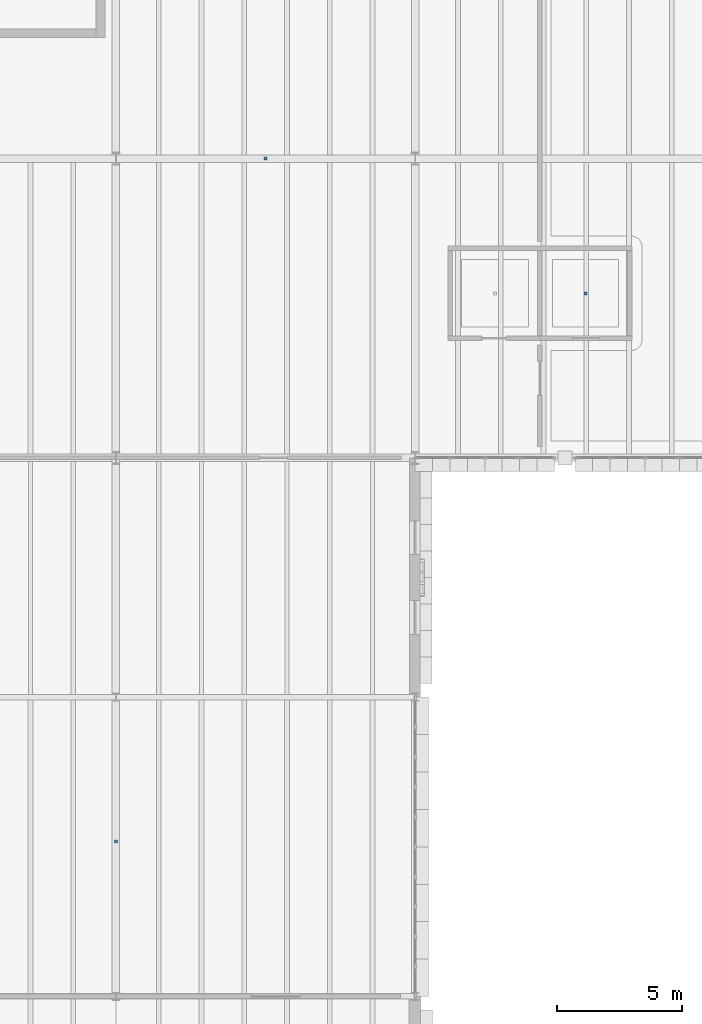
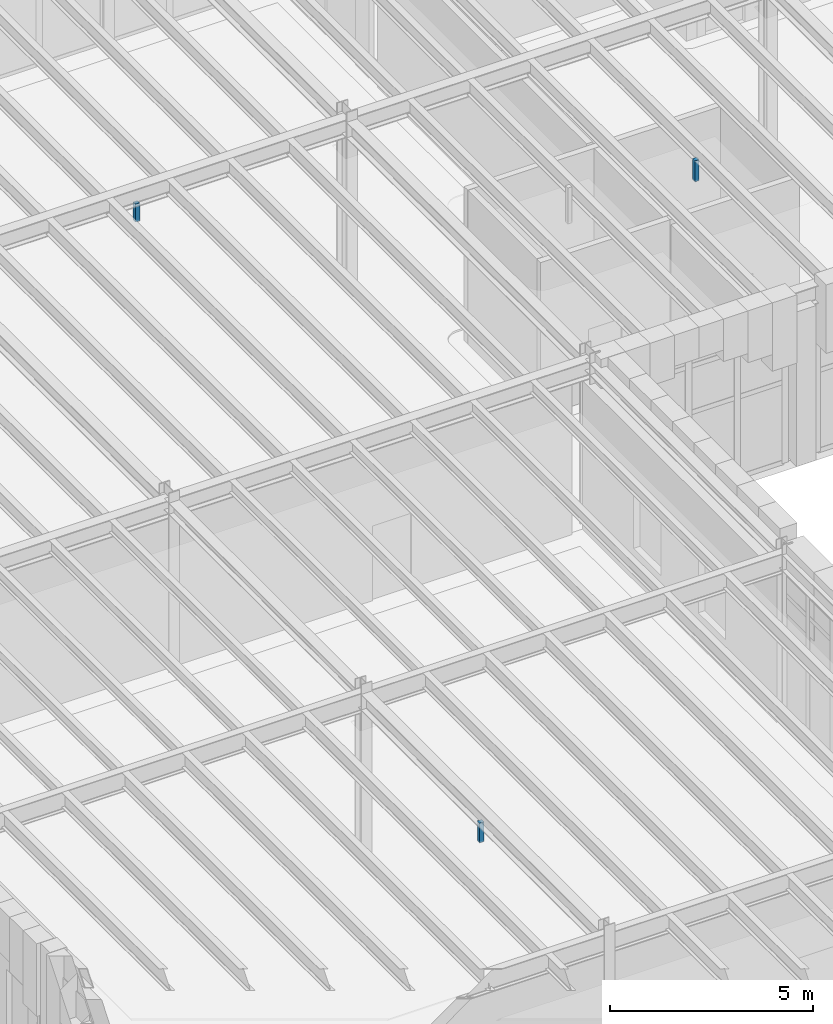
# One storey, part 70 of 100: 3 discrete accessories.
"""IFC4 building model written with IfcOpenShell, lengths in metres."""

from ifc_helpers import new_model, si_unit, direction, frame, origin, origin_2d, place, context, subcontext, project, spatial, rectangle, extrude, material, type_object, element, save


model = new_model("IFC4")

# Units and contexts
model_context = context("Model", 3, precision=1e-05, world=origin(), true_north=direction((0.0, 1.0)))
body_context = subcontext(model_context, "Body", "Model", "MODEL_VIEW")
ifc_project = project(units=[si_unit("LENGTHUNIT", "METRE"), si_unit("AREAUNIT", "SQUARE_METRE"), si_unit("VOLUMEUNIT", "CUBIC_METRE"), si_unit("PLANEANGLEUNIT", "RADIAN"), si_unit("MASSUNIT", "GRAM", prefix="KILO")], contexts=[model_context])

# Site, building, storey
site_placement = place(None, origin())
site = spatial("IfcSite", under=ifc_project, at=site_placement, CompositionType="ELEMENT")
building_placement = place(site_placement, origin())
building = spatial("IfcBuilding", under=site, at=building_placement, Name="Zlatogorsky Bluff Art Gallery", CompositionType="ELEMENT")
storey_placement = place(building_placement, frame((0.0, 0.0, 5.39990234375)))
storey = spatial("IfcBuildingStorey", under=building, at=storey_placement, Name="L01", CompositionType="ELEMENT", Elevation=5.39990234375)

# Discrete accessories
ifc_material = material(Name="Steel S355", Category="steel")
discrete_accessory_type = type_object("IfcDiscreteAccessoryType", Name="Stainless Facade Fin Bracket BRK-01", PredefinedType="BRACKET", material=ifc_material)
discrete_accessory_1_placement = place(storey_placement, frame((30.824951171875, 90.60009765625, 4.05517578125), z_axis=(0.0, 0.0, 1.0), x_axis=(1.0, 0.0, 0.0)))
element("IfcDiscreteAccessory", 1, at=discrete_accessory_1_placement, inside=storey, type_object=discrete_accessory_type, Name="Acoustic ceiling suspension hanger L01-AWC", PredefinedType="BRACKET", context=body_context, shape_type="SweptSolid", body=[
    extrude(rectangle(XDim=0.1201171875, YDim=0.1201171875, at=origin_2d()), origin(), (0.0, 0.0, 1.0), 0.6298828125),
])
discrete_accessory_2_placement = place(storey_placement, frame((12.0, 68.6201171875, 4.05517578125), z_axis=(0.0, 0.0, 1.0), x_axis=(1.0, 0.0, 0.0)))
element("IfcDiscreteAccessory", 2, at=discrete_accessory_2_placement, inside=storey, type_object=discrete_accessory_type, Name="Acoustic ceiling suspension hanger L01-E1", PredefinedType="BRACKET", context=body_context, shape_type="SweptSolid", body=[
    extrude(rectangle(XDim=0.1201171875, YDim=0.1201171875, at=origin_2d()), origin(), (0.0, 0.0, 1.0), 0.590087890625),
])
discrete_accessory_3_placement = place(storey_placement, frame((18.0, 96.0, 4.05517578125), z_axis=(0.0, 0.0, 1.0), x_axis=(1.0, 0.0, 0.0)))
element("IfcDiscreteAccessory", 3, at=discrete_accessory_3_placement, inside=storey, type_object=discrete_accessory_type, Name="Acoustic ceiling suspension hanger L01-E2-12", PredefinedType="BRACKET", context=body_context, shape_type="SweptSolid", body=[
    extrude(rectangle(XDim=0.1201171875, YDim=0.1201171875, at=origin_2d()), origin(), (0.0, 0.0, 1.0), 0.5400390625),
])

save(model, "model.ifc")
